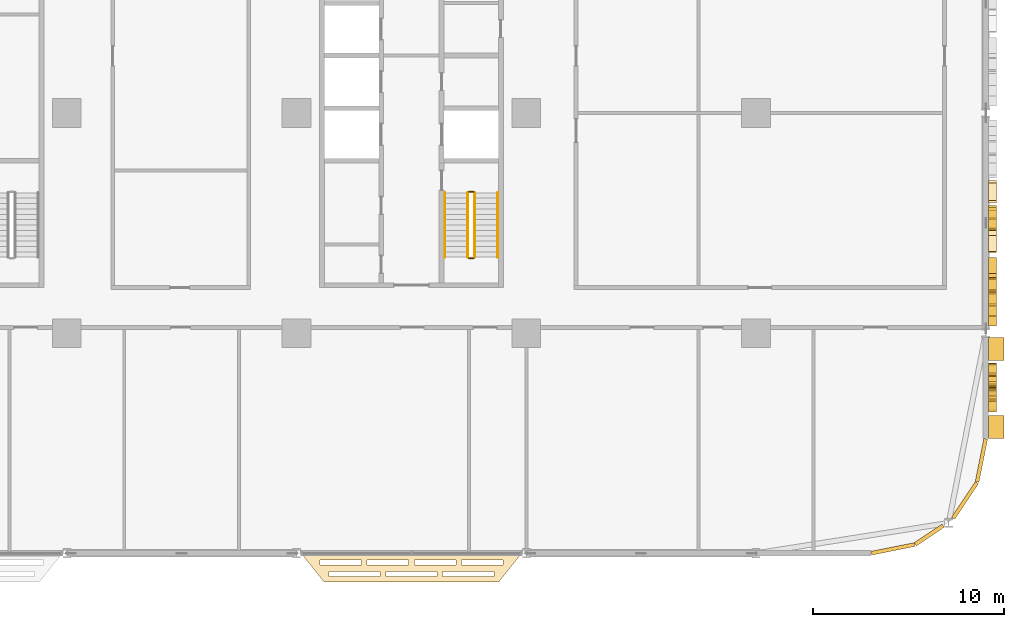
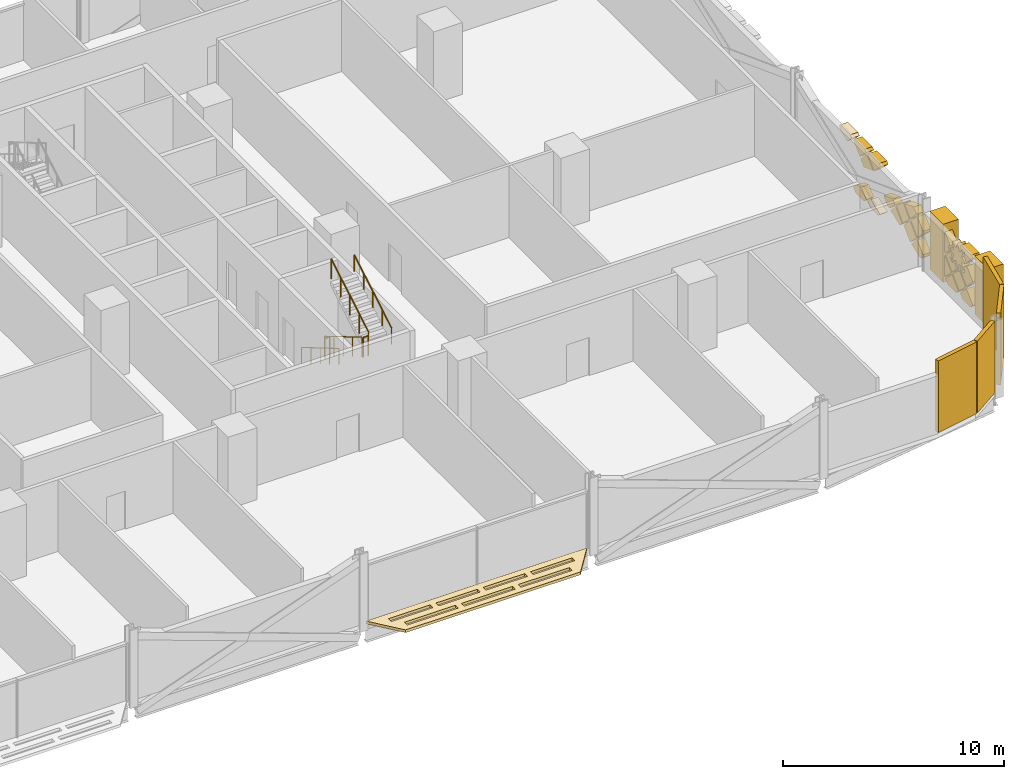
# One storey, part 28 of 29: 29 coverings, 6 railings.
"""IFC4 building model written with IfcOpenShell, lengths in metres."""

from ifc_helpers import new_model, si_unit, direction, frame, origin, origin_2d, place, context, subcontext, project, spatial, polyline, rectangle, circle, outline, extrude, material, layer, layer_set, type_object, element, save


model = new_model("IFC4")

# Units and contexts
model_context = context("Model", 3, precision=1e-05, world=origin(), true_north=direction((0.0, 1.0)))
body_context = subcontext(model_context, "Body", "Model", "MODEL_VIEW")
ifc_project = project(units=[si_unit("LENGTHUNIT", "METRE"), si_unit("AREAUNIT", "SQUARE_METRE"), si_unit("VOLUMEUNIT", "CUBIC_METRE"), si_unit("PLANEANGLEUNIT", "RADIAN"), si_unit("MASSUNIT", "GRAM", prefix="KILO")], contexts=[model_context])

# Site, building, storey
site_placement = place(None, origin())
site = spatial("IfcSite", under=ifc_project, at=site_placement, CompositionType="ELEMENT")
building_placement = place(site_placement, origin())
building = spatial("IfcBuilding", under=site, at=building_placement, Name="Mahtab Terrace Research Tower", CompositionType="ELEMENT")
storey_placement = place(building_placement, frame((0.0, 0.0, 71.800048828125)))
storey = spatial("IfcBuildingStorey", under=building, at=storey_placement, Name="L16", CompositionType="ELEMENT", Elevation=71.800048828125)

# Coverings
ifc_material_1 = material(Name="Black aluminium cladding panel", Category="aluminium")
ifc_layer_1 = layer(ifc_material_1, 0.199951171875)
ifc_layer_set_1 = layer_set([ifc_layer_1], Name="Black metal corner cladding 200")
covering_type_1 = type_object("IfcCoveringType", Name="Black metal corner cladding 200", PredefinedType="CLADDING", material=ifc_layer_set_1)
covering_1_placement = place(storey_placement, frame((49.14794921875, -22.771484375, 0.0), z_axis=(0.0, 0.0, 1.0), x_axis=(0.980760981187, 0.195212442692, 0.0)))
element("IfcCovering", 1, at=covering_1_placement, inside=storey, type_object=covering_type_1, Name="Corner cladding L16 31", PredefinedType="CLADDING", context=body_context, shape_type="SweptSolid", body=[
    extrude(rectangle(XDim=2.30126953125, YDim=0.199951171875, at=origin_2d()), origin(), (0.0, 0.0, 1.0), 3.9599609375),
])
covering_2_placement = place(storey_placement, frame((51.0380859375, -22.047607421875, 0.0), z_axis=(0.0, 0.0, 1.0), x_axis=(0.831655794326, 0.555291490808, 0.0)))
element("IfcCovering", 2, at=covering_2_placement, inside=storey, type_object=covering_type_1, Name="Corner cladding L16 32", PredefinedType="CLADDING", context=body_context, shape_type="SweptSolid", body=[
    extrude(rectangle(XDim=1.74462890625, YDim=0.199951171875, at=origin_2d()), origin(), (0.0, 0.0, 1.0), 3.9599609375),
])
covering_3_placement = place(storey_placement, frame((52.911376953125, -20.2421875, 0.0), z_axis=(0.0, 0.0, 1.0), x_axis=(0.555291490808, 0.831655794326, 0.0)))
element("IfcCovering", 3, at=covering_3_placement, inside=storey, type_object=covering_type_1, Name="Corner cladding L16 33", PredefinedType="CLADDING", context=body_context, shape_type="SweptSolid", body=[
    extrude(rectangle(XDim=2.235595703125, YDim=0.199951171875, at=origin_2d()), origin(), (0.0, 0.0, 1.0), 3.9599609375),
])
covering_4_placement = place(storey_placement, frame((53.771484375, -18.14794921875, 0.0), z_axis=(0.0, 0.0, 1.0), x_axis=(0.195212442692, 0.980760981187, 0.0)))
element("IfcCovering", 4, at=covering_4_placement, inside=storey, type_object=covering_type_1, Name="Corner cladding L16 34", PredefinedType="CLADDING", context=body_context, shape_type="SweptSolid", body=[
    extrude(rectangle(XDim=2.30126953125, YDim=0.199951171875, at=origin_2d()), origin(), (0.0, 0.0, 1.0), 3.9599609375),
])
ifc_material_2 = material(Name="Black anodised aluminium", Category="aluminium")
ifc_layer_2 = layer(ifc_material_2, 0.14990234375)
ifc_layer_set_2 = layer_set([ifc_layer_2], Name="Horizontal sunshade band")
covering_type_2 = type_object("IfcCoveringType", Name="Horizontal sunshade band", PredefinedType="CLADDING", material=ifc_layer_set_2)
covering_5_placement = place(storey_placement, frame((0.0, 0.0, -0.150146484375)))
element("IfcCovering", 5, at=covering_5_placement, inside=storey, type_object=covering_type_2, Name="Sunshade band L16 28", PredefinedType="CLADDING", context=body_context, shape_type="SweptSolid", body=[
    extrude(outline(polyline([(18.238037109375, -23.0), (29.761962890625, -23.0), (28.56201171875, -24.5), (19.43798828125, -24.5), (18.238037109375, -23.0)]), holes=[polyline([(19.218017578125, -23.35009765625), (21.384033203125, -23.35009765625), (21.384033203125, -23.60009765625), (19.218017578125, -23.60009765625), (19.218017578125, -23.35009765625)]), polyline([(21.68408203125, -23.35009765625), (23.85009765625, -23.35009765625), (23.85009765625, -23.60009765625), (21.68408203125, -23.60009765625), (21.68408203125, -23.35009765625)]), polyline([(24.14990234375, -23.35009765625), (26.31591796875, -23.35009765625), (26.31591796875, -23.60009765625), (24.14990234375, -23.60009765625), (24.14990234375, -23.35009765625)]), polyline([(26.615966796875, -23.35009765625), (28.781982421875, -23.35009765625), (28.781982421875, -23.60009765625), (26.615966796875, -23.60009765625), (26.615966796875, -23.35009765625)]), polyline([(19.697998046875, -23.949951171875), (22.365966796875, -23.949951171875), (22.365966796875, -24.199951171875), (19.697998046875, -24.199951171875), (19.697998046875, -23.949951171875)]), polyline([(22.666015625, -23.949951171875), (25.333984375, -23.949951171875), (25.333984375, -24.199951171875), (22.666015625, -24.199951171875), (22.666015625, -23.949951171875)]), polyline([(25.634033203125, -23.949951171875), (28.302001953125, -23.949951171875), (28.302001953125, -24.199951171875), (25.634033203125, -24.199951171875), (25.634033203125, -23.949951171875)])]), origin(), (0.0, 0.0, 1.0), 0.150146484375),
])
ifc_material_3 = material(Name="Bronze anodised aluminium", Category="aluminium")
ifc_layer_3 = layer(ifc_material_3, 0.39990234375)
ifc_layer_set_3 = layer_set([ifc_layer_3], Name="Mashrabiya relief panel 400")
covering_type_3 = type_object("IfcCoveringType", Name="Mashrabiya relief panel 400", PredefinedType="CLADDING", material=ifc_layer_set_3)
covering_6_placement = place(storey_placement, frame((54.14990234375, -14.10498046875, 2.600830078125), z_axis=(-1.0, 0.0, 0.0), x_axis=(0.0, 0.924784909208, 0.380490304346)))
element("IfcCovering", 6, at=covering_6_placement, inside=storey, type_object=covering_type_3, Name="Girih star panel L16 E35.1", PredefinedType="CLADDING", context=body_context, shape_type="SweptSolid", body=[
    extrude(outline(polyline([(0.0, 0.0), (0.3785719822676483, 0.0), (0.11224734785337949, 0.2687322986646593), (0.37970496369230244, 0.5355884707789882), (0.0018902966904386642, 0.5369560467454342), (0.0018902966904386642, 0.9155280290130825), (-0.2670677795399452, 0.6491105014581041), (-0.5339239516542741, 0.916568117297027), (-0.53529152762072, 0.5387534502951633), (-0.9138635098883683, 0.5387534502951632), (-0.64744598233339, 0.2697953740647794), (-0.9149035981723128, 0.0029392019504504985), (-0.5370889311704492, 0.0015716259840045654), (-0.5371818243111587, -0.3767745787179192), (-0.2682237480807748, -0.11035705116294083), (-0.0012746828257363951, -0.3780404445675883), (0.0, 0.0)])), origin(), (0.0, 0.0, -1.0), 0.39990234375),
])
covering_7_placement = place(storey_placement, frame((54.14990234375, -15.6298828125, 0.349853515625), z_axis=(-1.0, 0.0, 0.0), x_axis=(0.0, 0.706957932274, 0.707255598772)))
element("IfcCovering", 7, at=covering_7_placement, inside=storey, type_object=covering_type_3, Name="Mashrabiya lattice cell L16 E35.2", PredefinedType="CLADDING", context=body_context, shape_type="SweptSolid", body=[
    extrude(outline(polyline([(0.0, 0.0), (0.8201817362875763, 0.0), (0.8200090664636573, 0.8203543334390104), (0.5160015310014785, 0.8201177118284548), (-6.395178663665124e-05, 0.3038349383107446), (0.0, 0.0)])), origin(), (0.0, 0.0, -1.0), 0.39990234375),
])
covering_8_placement = place(storey_placement, frame((54.14990234375, -14.469970703125, 1.64990234375), z_axis=(-1.0, 0.0, 0.0), x_axis=(0.0, -0.707255598772, -0.706957932274)))
element("IfcCovering", 8, at=covering_8_placement, inside=storey, type_object=covering_type_3, Name="Mashrabiya lattice cell L16 E35.3", PredefinedType="CLADDING", context=body_context, shape_type="SweptSolid", body=[
    extrude(outline(polyline([(0.0, 0.0), (0.8201817362875763, 0.0), (0.8203543334390104, 0.8200090664636573), (0.03832463426419619, 0.8201736696417619), (0.04884027014435216, 0.748873822720556), (0.0001295023679392382, 0.6152657500792578), (9.796250952978647e-05, 0.4654198827760042), (0.2043041565586662, 0.3740537820203366), (0.24417148233050204, 0.3217374415823431), (0.2553810677681505, 0.26666499715776415), (0.24034927299168976, 0.20641907121173428), (0.20443242349436358, 0.16326825723101512), (1.5188549326208833e-05, 0.07216079784880185), (0.0, 0.0)])), origin(), (0.0, 0.0, -1.0), 0.39990234375),
])
covering_9_placement = place(storey_placement, frame((54.14990234375, -15.050048828125, 2.369873046875), z_axis=(-1.0, 0.0, 0.0), x_axis=(0.0, -0.706957932274, 0.707255598772)))
element("IfcCovering", 9, at=covering_9_placement, inside=storey, type_object=covering_type_3, Name="Mashrabiya lattice cell L16 E35.4", PredefinedType="CLADDING", context=body_context, shape_type="SweptSolid", body=[
    extrude(outline(polyline([(0.0, 0.0), (0.8201817362875763, 0.0), (0.8202168370977416, 0.16676394909555636), (0.16693661891947537, 0.8203192326288451), (0.00017266982391900276, 0.8203543334390104), (0.00013633358151177166, 0.647720845762451), (0.14358004566255775, 0.577774087836004), (0.1748168598103227, 0.5309838358157808), (0.18464595872643721, 0.478673817883966), (0.1734140628359507, 0.4277493008751375), (0.13646010430783856, 0.37838389935551664), (6.613196118107623e-05, 0.3141929475713382), (0.0, 0.0)])), origin(), (0.0, 0.0, -1.0), 0.39990234375),
])
covering_10_placement = place(storey_placement, frame((54.14990234375, -13.820068359375, 1.0), z_axis=(-1.0, 0.0, 0.0), x_axis=(0.0, -0.706957932274, -0.707255598772)))
element("IfcCovering", 10, at=covering_10_placement, inside=storey, type_object=covering_type_3, Name="Mashrabiya lattice cell L16 E35.5", PredefinedType="CLADDING", context=body_context, shape_type="SweptSolid", body=[
    extrude(outline(polyline([(0.0, 0.0), (0.8201817362875763, 0.0), (0.8200090664636573, 0.8203543334390104), (0.008286407408474805, 0.8201834804272119), (0.05009096360800758, 0.6907171580404547), (0.035257128680181216, 0.630637579412165), (-0.00012383391412373879, 0.5883349260017146), (0.0, 0.0)])), origin(), (0.0, 0.0, -1.0), 0.39990234375),
])
covering_11_placement = place(storey_placement, frame((54.14990234375, -14.330078125, 0.349853515625), z_axis=(-1.0, 0.0, 0.0), x_axis=(0.0, 0.707106781187, 0.707106781187)))
element("IfcCovering", 11, at=covering_11_placement, inside=storey, type_object=covering_type_3, Name="Mashrabiya lattice cell L16 E35.6", PredefinedType="CLADDING", context=body_context, shape_type="SweptSolid", body=[
    extrude(outline(polyline([(0.0, 0.0), (0.8203543516109556, 0.0), (0.8203543516109556, 0.8203543516109556), (0.5163467730783603, 0.820181718119455), (0.00017263349150062335, 0.3040075785325953), (0.0, 0.0)])), origin(), (0.0, 0.0, -1.0), 0.39990234375),
])
covering_12_placement = place(storey_placement, frame((54.14990234375, -13.169921875, 1.64990234375), z_axis=(-1.0, 0.0, 0.0), x_axis=(0.0, -0.707255598772, -0.706957932274)))
element("IfcCovering", 12, at=covering_12_placement, inside=storey, type_object=covering_type_3, Name="Mashrabiya lattice cell L16 E35.7", PredefinedType="CLADDING", context=body_context, shape_type="SweptSolid", body=[
    extrude(outline(polyline([(0.0, 0.0), (0.8201817362875763, 0.0), (0.8204719175194402, 0.5584692962974274), (0.5580905999790596, 0.6610688190657625), (0.4449614882134841, 0.4036960891787892), (0.39264522044797534, 0.36417403038230645), (0.32825071303383185, 0.3536569410524542), (0.27439233514056194, 0.3692052918509756), (0.22848062078925968, 0.4109922613091833), (0.12098260918201115, 0.6611608224315376), (0.0001286302981214904, 0.6111225463750204), (0.0, 0.0)])), origin(), (0.0, 0.0, -1.0), 0.39990234375),
])
covering_13_placement = place(storey_placement, frame((54.14990234375, -13.10009765625, 0.419921875), z_axis=(-1.0, 0.0, 0.0), x_axis=(0.0, -0.706957932274, 0.707255598772)))
element("IfcCovering", 13, at=covering_13_placement, inside=storey, type_object=covering_type_3, Name="Mashrabiya lattice cell L16 E35.8", PredefinedType="CLADDING", context=body_context, shape_type="SweptSolid", body=[
    extrude(outline(polyline([(0.0, 0.0), (0.8201817362875763, 0.0), (0.8203543334390104, 0.8200090664636573), (0.7822023689987332, 0.8201897302609058), (8.066645814396034e-06, 0.038324634264196196), (0.0, 0.0)])), origin(), (0.0, 0.0, -1.0), 0.39990234375),
])
covering_14_placement = place(storey_placement, frame((54.14990234375, -13.10009765625, 1.719970703125), z_axis=(-1.0, 0.0, 0.0), x_axis=(0.0, -0.70689253888, 0.707320958601)))
element("IfcCovering", 14, at=covering_14_placement, inside=storey, type_object=covering_type_3, Name="Mashrabiya lattice cell L16 E35.9", PredefinedType="CLADDING", context=body_context, shape_type="SweptSolid", body=[
    extrude(outline(polyline([(0.0, 0.0), (0.5698631815922183, 0.0), (0.5635042447441843, 0.09408718355183487), (0.6192877138731068, 0.16951112383861777), (0.7078549143313995, 0.19002767985467833), (0.8202271268637529, 0.14977003261944072), (0.820430145095578, 0.8199332158738362), (0.7822781975219073, 0.8201174070671612), (1.1610007075002482e-05, 0.03832463335457903), (0.0, 0.0)])), origin(), (0.0, 0.0, -1.0), 0.39990234375),
])
covering_15_placement = place(storey_placement, frame((54.14990234375, -11.126953125, 0.284912109375), z_axis=(-1.0, 0.0, 0.0), x_axis=(0.0, 0.0, 1.0)))
element("IfcCovering", 15, at=covering_15_placement, inside=storey, type_object=covering_type_3, Name="Mashrabiya lattice cell L16 E36.1", PredefinedType="CLADDING", context=body_context, shape_type="SweptSolid", body=[
    extrude(outline(polyline([(0.0, 0.0), (0.130126953125, 0.0), (0.64501953125, 0.514892578125), (0.10498046875, 1.054931640625), (-0.14990234375, 0.373046875), (-0.14990234375, 0.14990234375), (0.0, 0.0)])), origin(), (0.0, 0.0, -1.0), 0.39990234375),
])
covering_16_placement = place(storey_placement, frame((54.14990234375, -10.612060546875, 2.22998046875), z_axis=(-1.0, 0.0, 0.0), x_axis=(0.0, 0.707106781187, -0.707106781187)))
element("IfcCovering", 16, at=covering_16_placement, inside=storey, type_object=covering_type_3, Name="Mashrabiya lattice cell L16 E36.2", PredefinedType="CLADDING", context=body_context, shape_type="SweptSolid", body=[
    extrude(outline(polyline([(0.0, 0.0), (0.8203543516109556, 0.0), (0.820181718119455, 0.820181718119455), (0.0920136509698315, 0.820181718119455), (0.0001726334915005956, 0.728340700641124), (0.0, 0.0)])), origin(), (0.0, 0.0, -1.0), 0.39990234375),
])
covering_17_placement = place(storey_placement, frame((54.14990234375, -10.5419921875, 1.0), z_axis=(-1.0, 0.0, 0.0), x_axis=(0.0, 0.707255598772, 0.706957932274)))
element("IfcCovering", 17, at=covering_17_placement, inside=storey, type_object=covering_type_3, Name="Mashrabiya lattice cell L16 E36.3", PredefinedType="CLADDING", context=body_context, shape_type="SweptSolid", body=[
    extrude(outline(polyline([(0.0, 0.0), (0.8201817362875763, 0.0), (0.8203543334390104, 0.8200090664636573), (0.02554975617613081, 0.8201763585237001), (0.00017027163192012695, 0.8089605232523576), (0.0, 0.0)])), origin(), (0.0, 0.0, -1.0), 0.39990234375),
])
covering_18_placement = place(storey_placement, frame((54.14990234375, -9.9619140625, 1.719970703125), z_axis=(-1.0, 0.0, 0.0), x_axis=(0.0, -0.707106781187, 0.707106781187)))
element("IfcCovering", 18, at=covering_18_placement, inside=storey, type_object=covering_type_3, Name="Mashrabiya lattice cell L16 E36.4", PredefinedType="CLADDING", context=body_context, shape_type="SweptSolid", body=[
    extrude(outline(polyline([(0.0, 0.0), (0.8203543516109556, 0.0), (0.8203543516109555, 0.3590776623212937), (0.0001726334915005956, 0.732483904437139), (0.0, 0.0)])), origin(), (0.0, 0.0, -1.0), 0.39990234375),
])
covering_19_placement = place(storey_placement, frame((54.14990234375, -8.73193359375, 1.64990234375), z_axis=(-1.0, 0.0, 0.0), x_axis=(0.0, -0.707255598772, -0.706957932274)))
element("IfcCovering", 19, at=covering_19_placement, inside=storey, type_object=covering_type_3, Name="Mashrabiya lattice cell L16 E36.5", PredefinedType="CLADDING", context=body_context, shape_type="SweptSolid", body=[
    extrude(outline(polyline([(0.0, 0.0), (0.8201817362875763, 0.0), (0.8205270032629295, 0.8201816636150915), (0.04264050779235257, 0.8203453947233783), (0.00015304825301909464, 0.7271322500936683), (0.0, 0.0)])), origin(), (0.0, 0.0, -1.0), 0.39990234375),
])
covering_20_placement = place(storey_placement, frame((54.14990234375, -9.241943359375, 1.0), z_axis=(-1.0, 0.0, 0.0), x_axis=(0.0, 0.707106781187, 0.707106781187)))
element("IfcCovering", 20, at=covering_20_placement, inside=storey, type_object=covering_type_3, Name="Mashrabiya lattice cell L16 E36.6", PredefinedType="CLADDING", context=body_context, shape_type="SweptSolid", body=[
    extrude(outline(polyline([(0.0, 0.0), (0.8200090846279543, 0.0), (0.820181718119455, 0.6817296579359561), (0.0, 0.30832341582011086), (0.0, 0.0)])), origin(), (0.0, 0.0, -1.0), 0.39990234375),
])
covering_21_placement = place(storey_placement, frame((54.14990234375, -8.592041015625, 1.64990234375), z_axis=(-1.0, 0.0, 0.0), x_axis=(0.0, 0.707106781187, 0.707106781187)))
element("IfcCovering", 21, at=covering_21_placement, inside=storey, type_object=covering_type_3, Name="Mashrabiya lattice cell L16 E36.7", PredefinedType="CLADDING", context=body_context, shape_type="SweptSolid", body=[
    extrude(outline(polyline([(0.0, 0.0), (0.2772493873499989, 0.0), (0.6520366973978492, 0.820181718119455), (0.20370751997073394, 0.8203543516109557), (0.0001726334915006511, 0.7269596327091191), (0.0, 0.0)])), origin(), (0.0, 0.0, -1.0), 0.39990234375),
])
covering_22_placement = place(storey_placement, frame((54.14990234375, -7.240966796875, 0.299072265625), z_axis=(-1.0, 0.0, 0.0), x_axis=(0.0, 0.936540541173, 0.350559288481)))
element("IfcCovering", 22, at=covering_22_placement, inside=storey, type_object=covering_type_3, Name="Mashrabiya lattice cell L16 E36.8", PredefinedType="CLADDING", context=body_context, shape_type="SweptSolid", body=[
    extrude(outline(polyline([(0.0, 0.0), (0.9011827075507265, -5.551115123125783e-17), (1.0563192065454552, 0.341171839774159), (0.7797938525183884, 0.4670662495322195), (0.09613754926979162, 0.2111648158024873), (0.0, 0.0)])), origin(), (0.0, 0.0, -1.0), 0.39990234375),
])
covering_23_placement = place(storey_placement, frame((54.14990234375, -6.132080078125, 2.949951171875), z_axis=(-1.0, 0.0, 0.0), x_axis=(0.0, -0.706957932274, -0.707255598772)))
element("IfcCovering", 23, at=covering_23_placement, inside=storey, type_object=covering_type_3, Name="Mashrabiya lattice cell L16 E36.9", PredefinedType="CLADDING", context=body_context, shape_type="SweptSolid", body=[
    extrude(outline(polyline([(0.0, 0.0), (0.8201817362875763, 0.0), (0.8200090664636573, 0.8203543334390104), (0.653245117368101, 0.8203192326288451), (-3.5100810165361596e-05, 0.16676394909555642), (0.0, 0.0)])), origin(), (0.0, 0.0, -1.0), 0.39990234375),
])
covering_24_placement = place(storey_placement, frame((54.14990234375, -6.06201171875, 2.8798828125), z_axis=(-1.0, 0.0, 0.0), x_axis=(0.0, 0.707255598772, -0.706957932274)))
element("IfcCovering", 24, at=covering_24_placement, inside=storey, type_object=covering_type_3, Name="Mashrabiya lattice cell L16 E36.10", PredefinedType="CLADDING", context=body_context, shape_type="SweptSolid", body=[
    extrude(outline(polyline([(0.0, 0.0), (0.8201817362875763, 0.0), (0.8200962734454347, 0.40603396301526784), (-0.000164021798226055, 0.7792675633719893), (0.0, 0.0)])), origin(), (0.0, 0.0, -1.0), 0.39990234375),
])
covering_25_placement = place(storey_placement, frame((54.14990234375, -5.991943359375, 0.349853515625), z_axis=(-1.0, 0.0, 0.0), x_axis=(0.0, 0.707106781187, 0.707106781187)))
element("IfcCovering", 25, at=covering_25_placement, inside=storey, type_object=covering_type_3, Name="Mashrabiya lattice cell L16 E36.11", PredefinedType="CLADDING", context=body_context, shape_type="SweptSolid", body=[
    extrude(outline(polyline([(0.0, 0.0), (0.6152657637082167, 0.0), (0.8201817181194551, 0.45109131329112523), (0.820181718119455, 0.820181718119455), (0.5161741395868596, 0.8200090846279543), (0.0, 0.30383494504109465), (0.0, 0.0)])), origin(), (0.0, 0.0, -1.0), 0.39990234375),
])
covering_26_placement = place(storey_placement, frame((54.14990234375, -4.83203125, 2.949951171875), z_axis=(-1.0, 0.0, 0.0), x_axis=(0.0, -0.707106781187, -0.707106781187)))
element("IfcCovering", 26, at=covering_26_placement, inside=storey, type_object=covering_type_3, Name="Mashrabiya lattice cell L16 E36.12", PredefinedType="CLADDING", context=body_context, shape_type="SweptSolid", body=[
    extrude(outline(polyline([(0.0, 0.0), (0.8203543516109556, 0.0), (0.820181718119455, 0.820181718119455), (0.6534177653298542, 0.820181718119455), (0.0, 0.16676395278960082), (0.0, 0.0)])), origin(), (0.0, 0.0, -1.0), 0.39990234375),
])
covering_27_placement = place(storey_placement, frame((54.14990234375, -4.69189453125, 2.949951171875), z_axis=(-1.0, 0.0, 0.0), x_axis=(0.0, 0.707106781187, 0.707106781187)))
element("IfcCovering", 27, at=covering_27_placement, inside=storey, type_object=covering_type_3, Name="Mashrabiya lattice cell L16 E36.13", PredefinedType="CLADDING", context=body_context, shape_type="SweptSolid", body=[
    extrude(outline(polyline([(0.0, 0.0), (0.16676395278960082, 0.0), (0.820181718119455, 0.6534177653298542), (0.820181718119455, 0.820181718119455), (0.561231480868522, 0.820181718119455), (0.0, 0.5641662502240326), (0.0, 0.0)])), origin(), (0.0, 0.0, -1.0), 0.39990234375),
])
ifc_material_4 = material(Name="Glazed ceramic tile cladding", Category="masonry")
ifc_layer_4 = layer(ifc_material_4, 0.800048828125)
ifc_layer_set_4 = layer_set([ifc_layer_4], Name="Pishtaq frame pier 800")
covering_type_4 = type_object("IfcCoveringType", Name="Pishtaq frame pier 800", PredefinedType="CLADDING", material=ifc_layer_set_4)
for number, where, z_axis, x_axis, name in (
    (28, (54.550048828125, -16.39990234375, 0.00048828125), (0.0, 0.0, 1.0), (0.0, 1.0, 0.0), "Pishtaq frame pier 35a"),
    (29, (54.550048828125, -12.337890625, 0.00048828125), (0.0, 0.0, 1.0), (0.0, 1.0, 0.0), "Pishtaq frame pier 35b"),
):
    element("IfcCovering", number, at=place(storey_placement, frame(where, z_axis=z_axis, x_axis=x_axis)), inside=storey, type_object=covering_type_4, Name=name, PredefinedType="CLADDING", context=body_context, shape_type="SweptSolid", body=[
        extrude(rectangle(XDim=1.199951171875, YDim=0.800048828125, at=origin_2d()), origin(), (0.0, 0.0, 1.0), 3.202880859375),
    ])

# Railings
ifc_material_5 = material(Name="Stainless steel AISI 304", Category="steel")
railing_type_1 = type_object("IfcRailingType", Name="Stair guard 1100", PredefinedType="GUARDRAIL", material=ifc_material_5)
railing_1_placement = place(storey_placement, frame((26.949951171875, -4.175048828125, 0.165283203125)))
element("IfcRailing", 30, at=railing_1_placement, inside=storey, type_object=railing_type_1, Name="L16 ST4 stair guard 1", PredefinedType="GUARDRAIL", context=body_context, shape_type="SweptSolid", body=[
    extrude(circle(Radius=0.02392578125, at=origin_2d()), frame((0.0, 0.0, 1.076171875), z_axis=(0.0, -0.861011212953, 0.508585972249), x_axis=(1.0, 0.0, 0.0)), (0.0, 0.0, 1.0), 3.90234375),
    extrude(circle(Radius=0.02099609375, at=origin_2d()), origin(), (0.0, 0.0, 1.0), 1.052001953125),
    extrude(circle(Radius=0.02099609375, at=origin_2d()), frame((0.0, -0.83984375, 0.49609375)), (0.0, 0.0, 1.0), 1.052001953125),
    extrude(circle(Radius=0.02099609375, at=origin_2d()), frame((0.0, -1.679931640625, 0.9921875)), (0.0, 0.0, 1.0), 1.052001953125),
    extrude(circle(Radius=0.02099609375, at=origin_2d()), frame((0.0, -2.52001953125, 1.488525390625)), (0.0, 0.0, 1.0), 1.052001953125),
    extrude(circle(Radius=0.02099609375, at=origin_2d()), frame((0.0, -3.35986328125, 1.984619140625)), (0.0, 0.0, 1.0), 1.052001953125),
])
railing_2_placement = place(storey_placement, frame((27.0, -7.5849609375, 2.14990234375)))
element("IfcRailing", 31, at=railing_2_placement, inside=storey, type_object=railing_type_1, Name="L16 ST4 stair guard 2", PredefinedType="GUARDRAIL", context=body_context, shape_type="SweptSolid", body=[
    extrude(circle(Radius=0.02392578125, at=origin_2d()), frame((0.0, 0.0, 1.076171875), z_axis=(1.0, 0.0, 0.0), x_axis=(0.0, 1.0, 0.0)), (0.0, 0.0, 1.0), 0.25),
    extrude(circle(Radius=0.02099609375, at=origin_2d()), origin(), (0.0, 0.0, 1.0), 1.052001953125),
    extrude(circle(Radius=0.02099609375, at=origin_2d()), frame((0.25, 0.0, 0.0)), (0.0, 0.0, 1.0), 1.052001953125),
])
railing_3_placement = place(storey_placement, frame((27.300048828125, -7.534912109375, 2.3154296875)))
element("IfcRailing", 32, at=railing_3_placement, inside=storey, type_object=railing_type_1, Name="L16 ST4 stair guard 3", PredefinedType="GUARDRAIL", context=body_context, shape_type="SweptSolid", body=[
    extrude(circle(Radius=0.02392578125, at=origin_2d()), frame((0.0, 0.0, 1.076171875), z_axis=(0.0, 0.861011212953, 0.508585972249), x_axis=(-1.0, 0.0, 0.0)), (0.0, 0.0, 1.0), 3.90234375),
    extrude(circle(Radius=0.02099609375, at=origin_2d()), origin(), (0.0, 0.0, 1.0), 1.052001953125),
    extrude(circle(Radius=0.02099609375, at=origin_2d()), frame((0.0, 0.83984375, 0.49609375)), (0.0, 0.0, 1.0), 1.052001953125),
    extrude(circle(Radius=0.02099609375, at=origin_2d()), frame((0.0, 1.679931640625, 0.9921875)), (0.0, 0.0, 1.0), 1.052001953125),
    extrude(circle(Radius=0.02099609375, at=origin_2d()), frame((0.0, 2.52001953125, 1.488525390625)), (0.0, 0.0, 1.0), 1.052001953125),
    extrude(circle(Radius=0.02099609375, at=origin_2d()), frame((0.0, 3.35986328125, 1.984619140625)), (0.0, 0.0, 1.0), 1.052001953125),
])
railing_4_placement = place(storey_placement, frame((27.0, -4.125, 0.0)))
element("IfcRailing", 33, at=railing_4_placement, inside=storey, type_object=railing_type_1, Name="L16 ST4 stair guard 4", PredefinedType="GUARDRAIL", context=body_context, shape_type="SweptSolid", body=[
    extrude(circle(Radius=0.02392578125, at=origin_2d()), frame((0.0, 0.0, 1.076171875), z_axis=(1.0, 0.0, 0.0), x_axis=(0.0, 1.0, 0.0)), (0.0, 0.0, 1.0), 0.25),
    extrude(circle(Radius=0.02099609375, at=origin_2d()), origin(), (0.0, 0.0, 1.0), 1.052001953125),
    extrude(circle(Radius=0.02099609375, at=origin_2d()), frame((0.25, 0.0, 0.0)), (0.0, 0.0, 1.0), 1.052001953125),
])
railing_type_2 = type_object("IfcRailingType", Name="Stair handrail 900", PredefinedType="HANDRAIL", material=ifc_material_5)
railing_5_placement = place(storey_placement, frame((25.75, -4.175048828125, 0.165283203125)))
element("IfcRailing", 34, at=railing_5_placement, inside=storey, type_object=railing_type_2, Name="L16 ST4 stair handrail 1", PredefinedType="HANDRAIL", context=body_context, shape_type="SweptSolid", body=[
    extrude(circle(Radius=0.02392578125, at=origin_2d()), frame((0.0, 0.0, 0.8759765625), z_axis=(0.0, -0.861011212953, 0.508585972249), x_axis=(1.0, 0.0, 0.0)), (0.0, 0.0, 1.0), 3.90234375),
    extrude(circle(Radius=0.02099609375, at=origin_2d()), origin(), (0.0, 0.0, 1.0), 0.851806640625),
    extrude(circle(Radius=0.02099609375, at=origin_2d()), frame((0.0, -0.83984375, 0.49609375)), (0.0, 0.0, 1.0), 0.851806640625),
    extrude(circle(Radius=0.02099609375, at=origin_2d()), frame((0.0, -1.679931640625, 0.9921875)), (0.0, 0.0, 1.0), 0.851806640625),
    extrude(circle(Radius=0.02099609375, at=origin_2d()), frame((0.0, -2.52001953125, 1.488525390625)), (0.0, 0.0, 1.0), 0.851806640625),
    extrude(circle(Radius=0.02099609375, at=origin_2d()), frame((0.0, -3.35986328125, 1.984619140625)), (0.0, 0.0, 1.0), 0.851806640625),
])
railing_6_placement = place(storey_placement, frame((28.5, -7.534912109375, 2.3154296875)))
element("IfcRailing", 35, at=railing_6_placement, inside=storey, type_object=railing_type_2, Name="L16 ST4 stair handrail 2", PredefinedType="HANDRAIL", context=body_context, shape_type="SweptSolid", body=[
    extrude(circle(Radius=0.02392578125, at=origin_2d()), frame((0.0, 0.0, 0.8759765625), z_axis=(0.0, 0.861011212953, 0.508585972249), x_axis=(-1.0, 0.0, 0.0)), (0.0, 0.0, 1.0), 3.90234375),
    extrude(circle(Radius=0.02099609375, at=origin_2d()), origin(), (0.0, 0.0, 1.0), 0.851806640625),
    extrude(circle(Radius=0.02099609375, at=origin_2d()), frame((0.0, 0.83984375, 0.49609375)), (0.0, 0.0, 1.0), 0.851806640625),
    extrude(circle(Radius=0.02099609375, at=origin_2d()), frame((0.0, 1.679931640625, 0.9921875)), (0.0, 0.0, 1.0), 0.851806640625),
    extrude(circle(Radius=0.02099609375, at=origin_2d()), frame((0.0, 2.52001953125, 1.488525390625)), (0.0, 0.0, 1.0), 0.851806640625),
    extrude(circle(Radius=0.02099609375, at=origin_2d()), frame((0.0, 3.35986328125, 1.984619140625)), (0.0, 0.0, 1.0), 0.851806640625),
])

save(model, "model.ifc")
